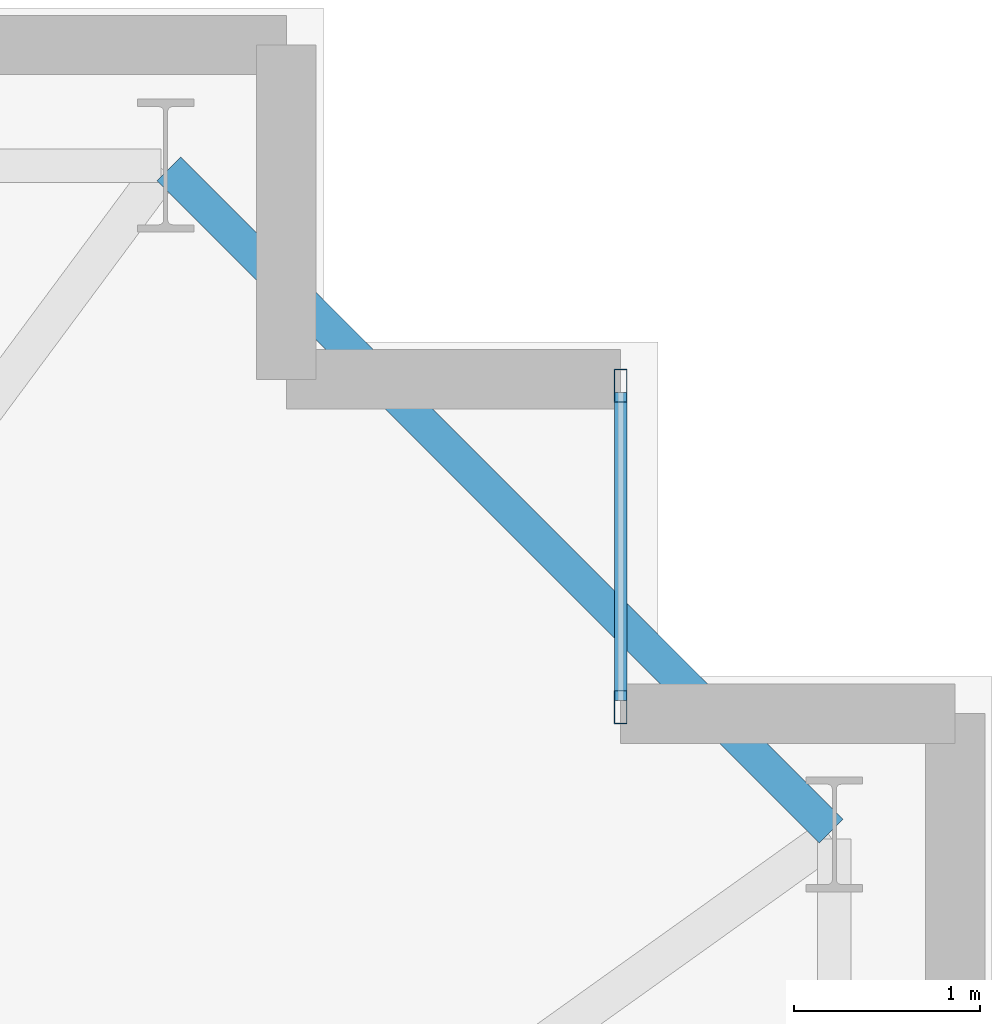
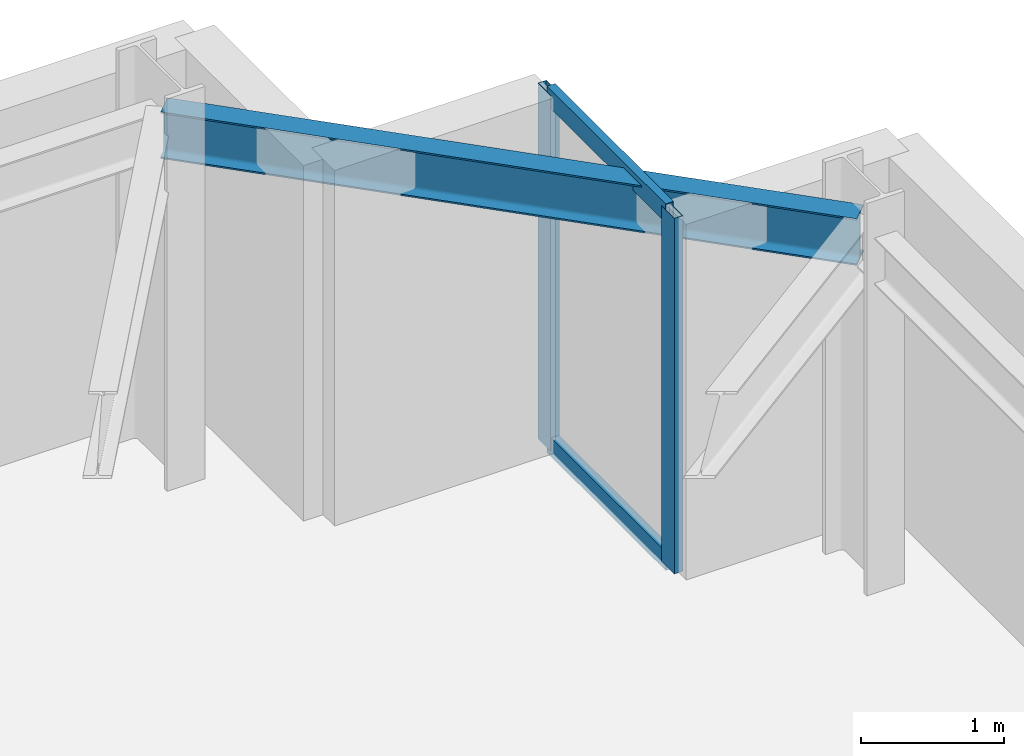
# One storey, part 12 of 20: 4 members, 1 beam, 1 element without a shape of its own.
"""IFC4 building model written with IfcOpenShell, lengths in metres."""

from ifc_helpers import new_model, si_unit, direction, frame, origin, origin_2d, place, context, subcontext, project, spatial, hollow_rectangle, i_section, extrude, material, layer, layer_set, material_profile, profile_set, type_object, element, aggregate, save


model = new_model("IFC4")

# Units and contexts
model_context = context("Model", 3, precision=1e-05, world=origin(), true_north=direction((0.0, 1.0)))
body_context = subcontext(model_context, "Body", "Model", "MODEL_VIEW")
ifc_project = project(units=[si_unit("LENGTHUNIT", "METRE"), si_unit("AREAUNIT", "SQUARE_METRE"), si_unit("VOLUMEUNIT", "CUBIC_METRE"), si_unit("PLANEANGLEUNIT", "RADIAN"), si_unit("MASSUNIT", "GRAM", prefix="KILO")], contexts=[model_context])

# Site, building, storey
site_placement = place(None, origin())
site = spatial("IfcSite", under=ifc_project, at=site_placement, CompositionType="ELEMENT")
building_placement = place(site_placement, origin())
building = spatial("IfcBuilding", under=site, at=building_placement, Name="Qobustan Lattice House", CompositionType="ELEMENT")
storey_placement = place(building_placement, frame((0.0, 0.0, 67.199951171875)))
storey = spatial("IfcBuildingStorey", under=building, at=storey_placement, Name="L18", CompositionType="ELEMENT", Elevation=67.199951171875)

# Beam
ifc_material_1 = material(Name="Steel S355", Category="steel")
ifc_material_profile_1 = material_profile(ifc_material_1, i_section(OverallWidth=0.179931640625, OverallDepth=0.39990234375, WebThickness=0.008544921875, FlangeThickness=0.013427734375, FilletRadius=0.02099609375, at=origin_2d()), Name="IPE400")
ifc_profile_set_1 = profile_set([ifc_material_profile_1], Name="Steel S355")
beam_type = type_object("IfcBeamType", Name="BM-SPD-IPE400", PredefinedType="SPANDREL", material=ifc_profile_set_1)
beam_placement = place(storey_placement, frame((32.13232421875, 15.167724609375, 2.8349609375), z_axis=(-0.707106781187, 0.707106781187, 0.0), x_axis=(-0.707106781187, -0.707106781187, 0.0)))
element("IfcBeam", 1, at=beam_placement, inside=storey, type_object=beam_type, Name="L18 perimeter spandrel E4-N1", PredefinedType="SPANDREL", context=body_context, shape_type="SweptSolid", body=[
    extrude(i_section(OverallWidth=0.179931640625, OverallDepth=0.39990234375, WebThickness=0.008544921875, FlangeThickness=0.013427734375, FilletRadius=0.02099609375, at=origin_2d()), origin(), (0.0, 0.0, 1.0), 5.041259765625),
])

# Curtain wall, members
ifc_material_2 = material(Name="Anodised aluminium and low-E glazing", Category="aluminium")
ifc_layer = layer(ifc_material_2, 0.219970703125)
ifc_layer_set = layer_set([ifc_layer], Name="Anodised aluminium and low-E glazing")
curtain_wall_type = type_object("IfcCurtainWallType", Name="CW-FAC-01", PredefinedType="USERDEFINED", material=ifc_layer_set)
curtain_wall_placement = place(storey_placement, origin())
curtain_wall = element("IfcCurtainWall", 2, at=curtain_wall_placement, inside=storey, type_object=curtain_wall_type, Name="L18 serrated corner faceted glazing 13", ObjectType="CURTAIN WALL", PredefinedType="USERDEFINED")
ifc_material_3 = material(Name="Anodised aluminium EN AW-6063 T6", Category="aluminium")
ifc_material_profile_2 = material_profile(ifc_material_3, hollow_rectangle(XDim=0.070068359375, YDim=0.179931640625, WallThickness=0.00439453125, at=origin_2d()), Name="CWM-180x70")
ifc_profile_set_2 = profile_set([ifc_material_profile_2], Name="Anodised aluminium EN AW-6063 T6")
member_type_1 = type_object("IfcMemberType", Name="CWM-STD-180", PredefinedType="MULLION", material=ifc_profile_set_2)
member_1_placement = place(storey_placement, frame((31.0, 17.56494140625, 0.0), z_axis=(0.0, 0.0, 1.0), x_axis=(1.0, 0.0, 0.0)))
member_1 = element("IfcMember", 3, at=member_1_placement, type_object=member_type_1, Name="CW-F1 mullion 1", PredefinedType="MULLION", context=body_context, shape_type="SweptSolid", body=[
    extrude(hollow_rectangle(XDim=0.070068359375, YDim=0.179931640625, WallThickness=0.00439453125, at=origin_2d()), origin(), (0.0, 0.0, 1.0), 3.03515625),
])
member_2_placement = place(storey_placement, frame((31.0, 15.8349609375, 0.0), z_axis=(0.0, 0.0, 1.0), x_axis=(1.0, 0.0, 0.0)))
member_2 = element("IfcMember", 4, at=member_2_placement, type_object=member_type_1, Name="CW-F1 mullion 2", PredefinedType="MULLION", context=body_context, shape_type="SweptSolid", body=[
    extrude(hollow_rectangle(XDim=0.070068359375, YDim=0.179931640625, WallThickness=0.00439453125, at=origin_2d()), origin(), (0.0, 0.0, 1.0), 3.03515625),
])
ifc_material_4 = material(Name="Anodised aluminium EN AW-6063 T6", Category="aluminium")
ifc_material_profile_3 = material_profile(ifc_material_4, hollow_rectangle(XDim=0.06494140625, YDim=0.159912109375, WallThickness=0.00390625, at=origin_2d()), Name="CWT-160x65")
ifc_profile_set_3 = profile_set([ifc_material_profile_3], Name="Anodised aluminium EN AW-6063 T6")
member_type_2 = type_object("IfcMemberType", Name="CWT-HOR-160", PredefinedType="USERDEFINED", material=ifc_profile_set_3)
member_3_placement = place(storey_placement, frame((31.0, 17.530029296875, 0.032470703125), z_axis=(0.0, -1.0, 0.0), x_axis=(1.0, 0.0, 0.0)))
member_3 = element("IfcMember", 5, at=member_3_placement, type_object=member_type_2, Name="CW-F1 transom 1.1", ObjectType="TRANSOM", PredefinedType="USERDEFINED", context=body_context, shape_type="SweptSolid", body=[
    extrude(hollow_rectangle(XDim=0.06494140625, YDim=0.159912109375, WallThickness=0.00390625, at=origin_2d()), origin(), (0.0, 0.0, 1.0), 1.659912109375),
])
member_4_placement = place(storey_placement, frame((31.0, 17.530029296875, 3.00244140625), z_axis=(0.0, -1.0, 0.0), x_axis=(1.0, 0.0, 0.0)))
member_4 = element("IfcMember", 6, at=member_4_placement, type_object=member_type_2, Name="CW-F1 transom 1.2", ObjectType="TRANSOM", PredefinedType="USERDEFINED", context=body_context, shape_type="SweptSolid", body=[
    extrude(hollow_rectangle(XDim=0.06494140625, YDim=0.159912109375, WallThickness=0.00390625, at=origin_2d()), origin(), (0.0, 0.0, 1.0), 1.659912109375),
])
aggregate(curtain_wall, [member_1, member_2, member_3, member_4])

save(model, "model.ifc")
